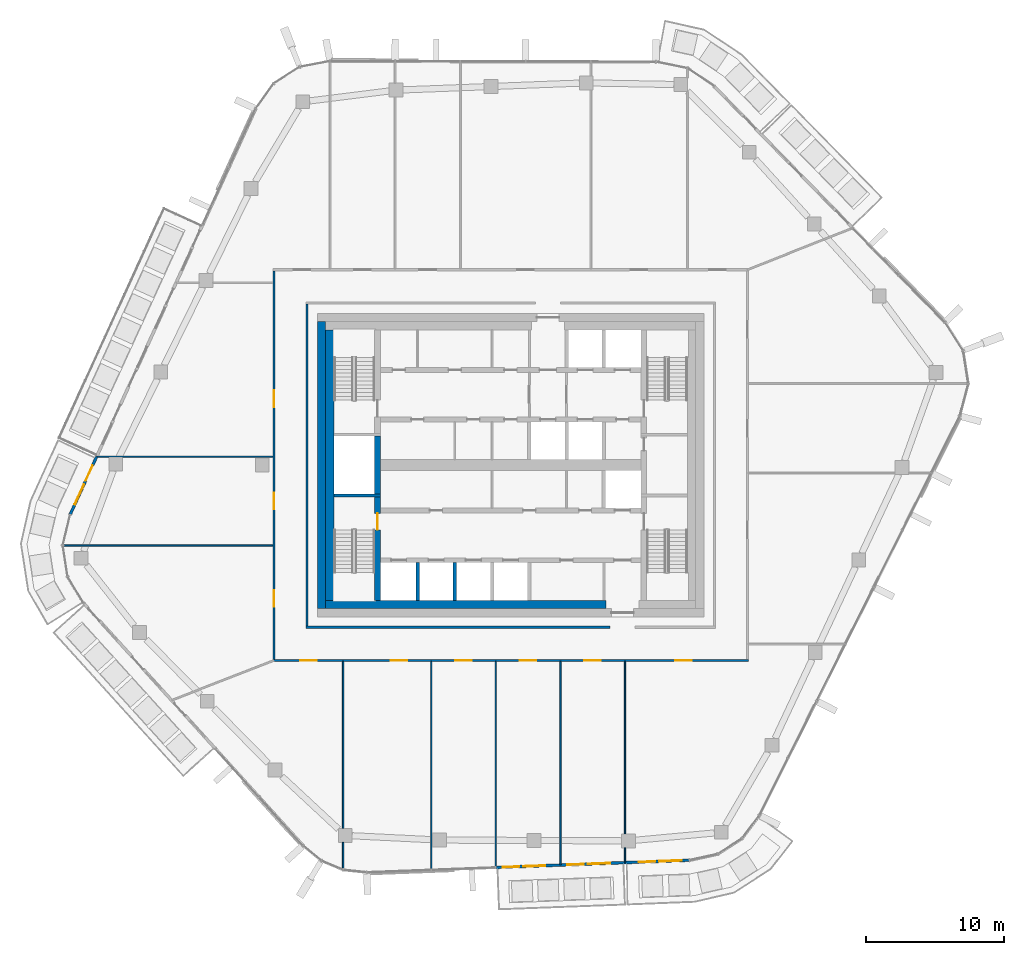
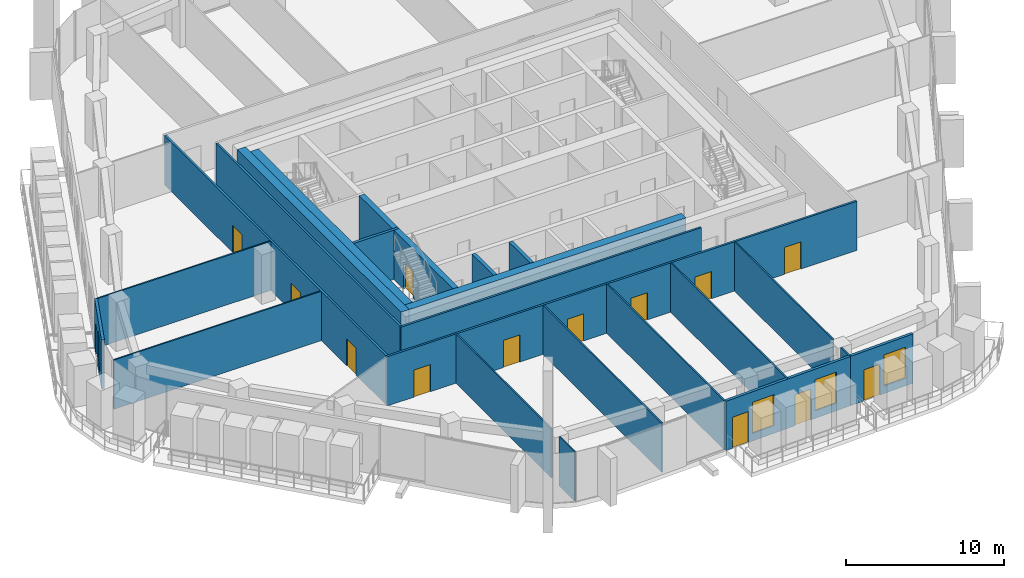
# One storey, part 13 of 24: 24 walls, 14 doors, 4 windows, 18 openings.
"""IFC4 building model written with IfcOpenShell, lengths in metres."""

import ifcopenshell
import ifcopenshell.guid

model = None  # the IFC model being written
_history = None  # IfcOwnerHistory: only IFC2X3 demands one
_inside = {}  # id of a spatial element -> (the spatial element, [elements in it])
_under = {}  # id of a project, library or spatial element -> (it, [spatial elements below it])
_declared = {}  # id of a project -> (the project, [libraries it declares])
_typed = {}  # id of a type object -> (the type object, [elements of that type])
_made_of = {}  # id of a material, layer set ... -> (it, [elements and type objects made of it])


def new_model(schema):
    """Start an empty IFC model of exactly this schema.

    Asked for "IFC4X3", IfcOpenShell would pick the latest addendum, in which some entities
    have other attributes; the version numbers below select the first issue.
    IFC2X3 requires an IfcOwnerHistory on every rooted entity: one is made here for all.
    """
    global model, _history
    if schema == "IFC4X3":
        model = ifcopenshell.file(schema_version=(4, 3, 0, 0))
    else:
        model = ifcopenshell.file(schema=schema)
    _inside.clear()
    _under.clear()
    _declared.clear()
    _typed.clear()
    _made_of.clear()
    _history = None
    if model.schema == "IFC2X3":
        org = make("IfcOrganization", Name="unknown")
        user = make(
            "IfcPersonAndOrganization",
            ThePerson=make("IfcPerson", FamilyName="unknown"),
            TheOrganization=org,
        )
        app = make(
            "IfcApplication",
            ApplicationDeveloper=org,
            Version="unknown",
            ApplicationFullName="unknown",
            ApplicationIdentifier="unknown",
        )
        _history = make(
            "IfcOwnerHistory",
            OwningUser=user,
            OwningApplication=app,
            ChangeAction="ADDED",
            CreationDate=0,
        )
    return model


def make(cls, **values):
    """One entity of the class cls with the attributes given. An attribute that is None is left unset."""
    return model.create_entity(
        cls, **{name: value for name, value in values.items() if value is not None}
    )


def rooted(cls, **values):
    """An entity with a GlobalId (a new one), such as an element, a storey or a relation."""
    return make(cls, GlobalId=ifcopenshell.guid.new(), OwnerHistory=_history, **values)


def si_unit(unit_type, name, prefix=None):
    """IfcSIUnit, for example si_unit("LENGTHUNIT", "METRE", prefix="MILLI")."""
    return make("IfcSIUnit", UnitType=unit_type, Prefix=prefix, Name=name)


def assignment(units):
    """IfcUnitAssignment: the units of a project."""
    return None if units is None else make("IfcUnitAssignment", Units=units)


def point(xyz):
    """IfcCartesianPoint."""
    return None if xyz is None else make("IfcCartesianPoint", Coordinates=xyz)


def direction(xyz):
    """IfcDirection."""
    return None if xyz is None else make("IfcDirection", DirectionRatios=xyz)


def frame(location, z_axis=None, x_axis=None):
    """IfcAxis2Placement3D, a coordinate frame: its origin and axes. An axis left out is left unset."""
    return make(
        "IfcAxis2Placement3D",
        Location=point(location),
        Axis=direction(z_axis),
        RefDirection=direction(x_axis),
    )


def frame_2d(location, x_axis=None):
    """IfcAxis2Placement2D, a coordinate frame in the plane: its origin and x axis."""
    return make(
        "IfcAxis2Placement2D", Location=point(location), RefDirection=direction(x_axis)
    )


def origin():
    """The frame at (0, 0, 0) with its axes left unset."""
    return frame((0.0, 0.0, 0.0))


def place(relative_to, where):
    """IfcLocalPlacement: puts the frame where relative to a parent placement (None: the world)."""
    return make(
        "IfcLocalPlacement", PlacementRelTo=relative_to, RelativePlacement=where
    )


def context(
    kind, dimensions, precision=None, world=None, true_north=None, identifier=None
):
    """IfcGeometricRepresentationContext, for example the 3D "Model" context."""
    return make(
        "IfcGeometricRepresentationContext",
        ContextIdentifier=identifier,
        ContextType=kind,
        CoordinateSpaceDimension=dimensions,
        Precision=precision,
        WorldCoordinateSystem=world,
        TrueNorth=true_north,
    )


def subcontext(parent, identifier, kind, view, scale=None):
    """IfcGeometricRepresentationSubContext, for example "Body" below "Model"."""
    return make(
        "IfcGeometricRepresentationSubContext",
        ContextIdentifier=identifier,
        ContextType=kind,
        ParentContext=parent,
        TargetScale=scale,
        TargetView=view,
    )


def project(units=None, contexts=None):
    """IfcProject with its units and contexts."""
    return rooted(
        "IfcProject",
        Name="project",
        RepresentationContexts=contexts,
        UnitsInContext=assignment(units),
    )


def spatial(cls, under=None, at=None, **own):
    """A site, building, storey or space (cls), placed at a placement, below another one or the project."""
    s = rooted(cls, ObjectPlacement=at, **own)
    if under is not None:
        _under.setdefault(under.id(), (under, []))[1].append(s)
    return s


def profile(cls, at=None, kind="AREA", **sizes):
    """A parametric profile (cls). Its sizes go by their IFC names, for example OverallWidth=200.0."""
    return make(cls, ProfileType=kind, Position=at, **sizes)


def rectangle(**sizes):
    """IfcRectangleProfileDef."""
    return profile("IfcRectangleProfileDef", **sizes)


def extrude(swept, where, along, depth):
    """IfcExtrudedAreaSolid: the profile swept, set in the frame where, extruded along a direction by depth."""
    return make(
        "IfcExtrudedAreaSolid",
        SweptArea=swept,
        Position=where,
        ExtrudedDirection=direction(along),
        Depth=depth,
    )


def shape(context_of_items, identifier, shape_type, items):
    """IfcShapeRepresentation: the items that make up one representation, for example the "Body"."""
    return make(
        "IfcShapeRepresentation",
        ContextOfItems=context_of_items,
        RepresentationIdentifier=identifier,
        RepresentationType=shape_type,
        Items=items,
    )


def material(Name=None, Category=None):
    """IfcMaterial."""
    return make("IfcMaterial", Name=Name, Category=Category)


def layer(
    of_material, thickness, ventilated=None, Name=None, Category=None, Priority=None
):
    """IfcMaterialLayer: one layer of a wall or slab, of a material (None: an air gap)."""
    return make(
        "IfcMaterialLayer",
        Material=of_material,
        LayerThickness=thickness,
        IsVentilated=ventilated,
        Name=Name,
        Category=Category,
        Priority=Priority,
    )


def layer_set(layers, Name=None):
    """IfcMaterialLayerSet."""
    return make("IfcMaterialLayerSet", MaterialLayers=layers, LayerSetName=Name)


def made_of(thing, what):
    """Note that an element or type object is made of a material, layer set ...; save() writes the relation."""
    if what is not None:
        _made_of.setdefault(what.id(), (what, []))[1].append(thing)
    return thing


def type_object(cls, material=None, **own):
    """A type object (cls), such as IfcWallType, which elements share."""
    return made_of(rooted(cls, **own), material)


def element(
    cls,
    number,
    at=None,
    inside=None,
    cuts=None,
    type_object=None,
    material=None,
    context=None,
    identifier="Body",
    shape_type=None,
    held_by="IfcProductDefinitionShape",
    body=None,
    shapes=None,
    **own,
):
    """One element of the class cls, such as IfcWall. Its Tag is "e" and its number.

    at: its placement. inside: the storey or other place that contains it. cuts: it is an
    opening in that element (IfcRelVoidsElement). A single representation is given by context,
    identifier, shape_type and body (its items); several are given by shapes. held_by: the class
    of the entity that holds the representations. save() writes the other relations.
    """
    e = rooted(cls, Tag="e%d" % number, ObjectPlacement=at, **own)
    if body is not None:
        shapes = [shape(context, identifier, shape_type, body)]
    if shapes is not None:
        e.Representation = make(held_by, Representations=shapes)
    if inside is not None:
        _inside.setdefault(inside.id(), (inside, []))[1].append(e)
    if cuts is not None:
        rooted(
            "IfcRelVoidsElement", RelatingBuildingElement=cuts, RelatedOpeningElement=e
        )
    if type_object is not None:
        _typed.setdefault(type_object.id(), (type_object, []))[1].append(e)
    return made_of(e, material)


def fill(opening, filler):
    """IfcRelFillsElement: the door or window that sits in an opening."""
    return rooted(
        "IfcRelFillsElement",
        RelatingOpeningElement=opening,
        RelatedBuildingElement=filler,
    )


def aggregate(whole, parts):
    """IfcRelAggregates: a whole, such as a stair, and the parts it consists of."""
    return rooted("IfcRelAggregates", RelatingObject=whole, RelatedObjects=parts)


def save(model, path):
    """Write the relations noted so far, then the file.

    IfcRelAggregates (storeys below a building ...), IfcRelContainedInSpatialStructure (elements
    in a storey), IfcRelDefinesByType, IfcRelAssociatesMaterial and IfcRelDeclares: one each for
    every whole, place, type object, material and project.
    """
    for whole, parts in _under.values():
        aggregate(whole, parts)
    for where, things in _inside.values():
        rooted(
            "IfcRelContainedInSpatialStructure",
            RelatedElements=things,
            RelatingStructure=where,
        )
    for kind, things in _typed.values():
        rooted("IfcRelDefinesByType", RelatedObjects=things, RelatingType=kind)
    for what, things in _made_of.values():
        rooted("IfcRelAssociatesMaterial", RelatedObjects=things, RelatingMaterial=what)
    for by, libraries in _declared.values():
        rooted("IfcRelDeclares", RelatingContext=by, RelatedDefinitions=libraries)
    model.write(path)


model = new_model("IFC4")

# Units and contexts
model_context = context("Model", 3, precision=1e-05, world=origin(), true_north=direction((0.0, 1.0)))
body_context = subcontext(model_context, "Body", "Model", "MODEL_VIEW")
ifc_project = project(units=[si_unit("LENGTHUNIT", "METRE"), si_unit("AREAUNIT", "SQUARE_METRE"), si_unit("VOLUMEUNIT", "CUBIC_METRE"), si_unit("PLANEANGLEUNIT", "RADIAN"), si_unit("MASSUNIT", "GRAM", prefix="KILO")], contexts=[model_context])

# Site, building, storey
site_placement = place(None, origin())
site = spatial("IfcSite", under=ifc_project, at=site_placement, CompositionType="ELEMENT")
building_placement = place(site_placement, origin())
building = spatial("IfcBuilding", under=site, at=building_placement, Name="Dongbaek Canopy Tower", CompositionType="ELEMENT")
storey_placement = place(building_placement, frame((0.0, 0.0, 306.800048828125)))
storey = spatial("IfcBuildingStorey", under=building, at=storey_placement, Name="L65", CompositionType="ELEMENT", Elevation=306.800048828125)

# Walls
ifc_material_1 = material(Name="Concrete C80/95", Category="concrete")
ifc_layer_1 = layer(ifc_material_1, 0.60009765625)
ifc_layer_set_1 = layer_set([ifc_layer_1], Name="Core outer wall 600 Concrete C80/95")
wall_type_1 = type_object("IfcWallType", Name="Core outer wall 600 Concrete C80/95", PredefinedType="SHEAR", material=ifc_layer_set_1)
wall_1_placement = place(storey_placement, frame((-13.699951171875, -10.39990234375, 0.0), z_axis=(0.0, 0.0, 1.0), x_axis=(0.0, 1.0, 0.0)))
element("IfcWall", 1, at=wall_1_placement, inside=storey, type_object=wall_type_1, Name="Core wall", PredefinedType="SHEAR", context=body_context, shape_type="SweptSolid", body=[
    extrude(rectangle(XDim=20.7998046875, YDim=0.60009765625, at=frame_2d((10.39990234375, 0.0))), origin(), (0.0, 0.0, 1.0), 3.820068359375),
])
ifc_material_2 = material(Name="Concrete C60/75", Category="concrete")
ifc_layer_2 = layer(ifc_material_2, 0.60009765625)
ifc_layer_set_2 = layer_set([ifc_layer_2], Name="Core wall lining 600 Concrete C60/75")
wall_type_2 = type_object("IfcWallType", Name="Core wall lining 600 Concrete C60/75", PredefinedType="SHEAR", material=ifc_layer_set_2)
wall_2_placement = place(storey_placement, frame((6.89990234375, -10.10009765625, 0.0), z_axis=(0.0, 0.0, 1.0), x_axis=(-1.0, 0.0, 0.0)))
element("IfcWall", 2, at=wall_2_placement, inside=storey, type_object=wall_type_2, Name="Core wall lining", PredefinedType="SHEAR", context=body_context, shape_type="SweptSolid", body=[
    extrude(rectangle(XDim=20.2998046875, YDim=0.60009765625, at=frame_2d((10.14990234375, 0.0))), origin(), (0.0, 0.0, 1.0), 3.820068359375),
])
wall_3_placement = place(storey_placement, frame((-13.10009765625, -9.800048828125, 0.0), z_axis=(0.0, 0.0, 1.0), x_axis=(0.0, 1.0, 0.0)))
element("IfcWall", 3, at=wall_3_placement, inside=storey, type_object=wall_type_2, Name="Core wall lining", PredefinedType="SHEAR", context=body_context, shape_type="SweptSolid", body=[
    extrude(rectangle(XDim=19.60009765625, YDim=0.60009765625, at=frame_2d((9.800048828125, 0.0))), origin(), (0.0, 0.0, 1.0), 3.820068359375),
])

# Wall, openings, doors
ifc_material_3 = material(Name="Gypsum board partition, steel stud, 2 x 15 mm fire board", Category="steel")
ifc_layer_3 = layer(ifc_material_3, 0.14990234375)
ifc_layer_set_3 = layer_set([ifc_layer_3], Name="Fire-rated partition 150 gypsum board")
wall_type_3 = type_object("IfcWallType", Name="Fire-rated partition 150 gypsum board", PredefinedType="PARTITIONING", material=ifc_layer_set_3)
wall_4_placement = place(storey_placement, frame((17.22509765625, -14.14990234375, 0.0), z_axis=(0.0, 0.0, 1.0), x_axis=(-1.0, 0.0, 0.0)))
wall_4 = element("IfcWall", 4, at=wall_4_placement, inside=storey, type_object=wall_type_3, Name="Corridor partition", PredefinedType="PARTITIONING", context=body_context, shape_type="SweptSolid", body=[
    extrude(rectangle(XDim=34.4501953125, YDim=0.14990234375, at=frame_2d((17.22509765625, 0.0))), origin(), (0.0, 0.0, 1.0), 3.820068359375),
])
opening_1_placement = place(wall_4_placement, frame((31.268798828125, 0.0, 0.0)))
opening_1 = element("IfcOpeningElement", 5, at=opening_1_placement, cuts=wall_4, Name="Opening L65-D003", PredefinedType="OPENING", context=body_context, shape_type="SweptSolid", body=[
    extrude(rectangle(XDim=1.199951171875, YDim=2.10009765625, at=frame_2d((0.60009765625, 1.050048828125))), frame((0.0, 0.0849609375, 0.0), z_axis=(0.0, -1.0, 0.0), x_axis=(1.0, 0.0, 0.0)), (0.0, 0.0, 1.0), 0.169921875),
])
opening_2_placement = place(wall_4_placement, frame((24.71923828125, 0.0, 0.0)))
opening_2 = element("IfcOpeningElement", 6, at=opening_2_placement, cuts=wall_4, Name="Opening L65-D004", PredefinedType="OPENING", context=body_context, shape_type="SweptSolid", body=[
    extrude(rectangle(XDim=1.199951171875, YDim=2.10009765625, at=frame_2d((0.60009765625, 1.050048828125))), frame((0.0, 0.0849609375, 0.0), z_axis=(0.0, -1.0, 0.0), x_axis=(1.0, 0.0, 0.0)), (0.0, 0.0, 1.0), 0.169921875),
])
opening_3_placement = place(wall_4_placement, frame((20.043701171875, 0.0, 0.0)))
opening_3 = element("IfcOpeningElement", 7, at=opening_3_placement, cuts=wall_4, Name="Opening L65-D005", PredefinedType="OPENING", context=body_context, shape_type="SweptSolid", body=[
    extrude(rectangle(XDim=1.199951171875, YDim=2.10009765625, at=frame_2d((0.60009765625, 1.050048828125))), frame((0.0, 0.0849609375, 0.0), z_axis=(0.0, -1.0, 0.0), x_axis=(1.0, 0.0, 0.0)), (0.0, 0.0, 1.0), 0.169921875),
])
opening_4_placement = place(wall_4_placement, frame((15.3642578125, 0.0, 0.0)))
opening_4 = element("IfcOpeningElement", 8, at=opening_4_placement, cuts=wall_4, Name="Opening L65-D006", PredefinedType="OPENING", context=body_context, shape_type="SweptSolid", body=[
    extrude(rectangle(XDim=1.199951171875, YDim=2.10009765625, at=frame_2d((0.60009765625, 1.050048828125))), frame((0.0, 0.0849609375, 0.0), z_axis=(0.0, -1.0, 0.0), x_axis=(1.0, 0.0, 0.0)), (0.0, 0.0, 1.0), 0.169921875),
])
opening_5_placement = place(wall_4_placement, frame((10.68505859375, 0.0, 0.0)))
opening_5 = element("IfcOpeningElement", 9, at=opening_5_placement, cuts=wall_4, Name="Opening L65-D007", PredefinedType="OPENING", context=body_context, shape_type="SweptSolid", body=[
    extrude(rectangle(XDim=1.199951171875, YDim=2.10009765625, at=frame_2d((0.60009765625, 1.050048828125))), frame((0.0, 0.0849609375, 0.0), z_axis=(0.0, -1.0, 0.0), x_axis=(1.0, 0.0, 0.0)), (0.0, 0.0, 1.0), 0.169921875),
])
opening_6_placement = place(wall_4_placement, frame((4.107421875, 0.0, 0.0)))
opening_6 = element("IfcOpeningElement", 10, at=opening_6_placement, cuts=wall_4, Name="Opening L65-D008", PredefinedType="OPENING", context=body_context, shape_type="SweptSolid", body=[
    extrude(rectangle(XDim=1.199951171875, YDim=2.10009765625, at=frame_2d((0.60009765625, 1.050048828125))), frame((0.0, 0.0849609375, 0.0), z_axis=(0.0, -1.0, 0.0), x_axis=(1.0, 0.0, 0.0)), (0.0, 0.0, 1.0), 0.169921875),
])
ifc_material_4 = material(Name="Timber veneered door leaf", Category="wood")
door_type_1 = type_object("IfcDoorType", Name="Room door 1200 x 2100", OperationType="SINGLE_SWING_LEFT", PredefinedType="DOOR", material=ifc_material_4)
door_1_placement = place(opening_1_placement, origin())
door_1 = element("IfcDoor", 11, at=door_1_placement, inside=storey, type_object=door_type_1, Name="Door L65-D003", OperationType="SINGLE_SWING_RIGHT", OverallHeight=2.10009765625, OverallWidth=1.199951171875, PredefinedType="DOOR", context=body_context, shape_type="SweptSolid", body=[
    extrude(rectangle(XDim=1.199951171875, YDim=2.10009765625, at=frame_2d((0.60009765625, 1.050048828125))), frame((0.0, 0.02490234375, 0.0), z_axis=(0.0, -1.0, 0.0), x_axis=(1.0, 0.0, 0.0)), (0.0, 0.0, 1.0), 0.050048828125),
])
fill(opening_1, door_1)
door_2_placement = place(opening_2_placement, origin())
door_2 = element("IfcDoor", 12, at=door_2_placement, inside=storey, type_object=door_type_1, Name="Door L65-D004", OperationType="SINGLE_SWING_LEFT", OverallHeight=2.10009765625, OverallWidth=1.199951171875, PredefinedType="DOOR", context=body_context, shape_type="SweptSolid", body=[
    extrude(rectangle(XDim=1.199951171875, YDim=2.10009765625, at=frame_2d((0.60009765625, 1.050048828125))), frame((0.0, 0.02490234375, 0.0), z_axis=(0.0, -1.0, 0.0), x_axis=(1.0, 0.0, 0.0)), (0.0, 0.0, 1.0), 0.050048828125),
])
fill(opening_2, door_2)
door_3_placement = place(opening_3_placement, origin())
door_3 = element("IfcDoor", 13, at=door_3_placement, inside=storey, type_object=door_type_1, Name="Door L65-D005", OperationType="SINGLE_SWING_RIGHT", OverallHeight=2.10009765625, OverallWidth=1.199951171875, PredefinedType="DOOR", context=body_context, shape_type="SweptSolid", body=[
    extrude(rectangle(XDim=1.199951171875, YDim=2.10009765625, at=frame_2d((0.60009765625, 1.050048828125))), frame((0.0, 0.02490234375, 0.0), z_axis=(0.0, -1.0, 0.0), x_axis=(1.0, 0.0, 0.0)), (0.0, 0.0, 1.0), 0.050048828125),
])
fill(opening_3, door_3)
door_4_placement = place(opening_4_placement, origin())
door_4 = element("IfcDoor", 14, at=door_4_placement, inside=storey, type_object=door_type_1, Name="Door L65-D006", OperationType="SINGLE_SWING_LEFT", OverallHeight=2.10009765625, OverallWidth=1.199951171875, PredefinedType="DOOR", context=body_context, shape_type="SweptSolid", body=[
    extrude(rectangle(XDim=1.199951171875, YDim=2.10009765625, at=frame_2d((0.60009765625, 1.050048828125))), frame((0.0, 0.02490234375, 0.0), z_axis=(0.0, -1.0, 0.0), x_axis=(1.0, 0.0, 0.0)), (0.0, 0.0, 1.0), 0.050048828125),
])
fill(opening_4, door_4)
door_5_placement = place(opening_5_placement, origin())
door_5 = element("IfcDoor", 15, at=door_5_placement, inside=storey, type_object=door_type_1, Name="Door L65-D007", OperationType="SINGLE_SWING_RIGHT", OverallHeight=2.10009765625, OverallWidth=1.199951171875, PredefinedType="DOOR", context=body_context, shape_type="SweptSolid", body=[
    extrude(rectangle(XDim=1.199951171875, YDim=2.10009765625, at=frame_2d((0.60009765625, 1.050048828125))), frame((0.0, 0.02490234375, 0.0), z_axis=(0.0, -1.0, 0.0), x_axis=(1.0, 0.0, 0.0)), (0.0, 0.0, 1.0), 0.050048828125),
])
fill(opening_5, door_5)
door_6_placement = place(opening_6_placement, origin())
door_6 = element("IfcDoor", 16, at=door_6_placement, inside=storey, type_object=door_type_1, Name="Door L65-D008", OperationType="SINGLE_SWING_LEFT", OverallHeight=2.10009765625, OverallWidth=1.199951171875, PredefinedType="DOOR", context=body_context, shape_type="SweptSolid", body=[
    extrude(rectangle(XDim=1.199951171875, YDim=2.10009765625, at=frame_2d((0.60009765625, 1.050048828125))), frame((0.0, 0.02490234375, 0.0), z_axis=(0.0, -1.0, 0.0), x_axis=(1.0, 0.0, 0.0)), (0.0, 0.0, 1.0), 0.050048828125),
])
fill(opening_6, door_6)

# Walls
wall_5_placement = place(storey_placement, frame((-14.824951171875, -11.75, 0.0), z_axis=(0.0, 0.0, 1.0), x_axis=(1.0, 0.0, 0.0)))
element("IfcWall", 17, at=wall_5_placement, inside=storey, type_object=wall_type_3, Name="Corridor partition", PredefinedType="PARTITIONING", context=body_context, shape_type="SweptSolid", body=[
    extrude(rectangle(XDim=22.02490234375, YDim=0.14990234375, at=frame_2d((11.012451171875, 0.0))), origin(), (0.0, 0.0, 1.0), 3.820068359375),
])
wall_6_placement = place(storey_placement, frame((-14.75, -11.675048828125, 0.0), z_axis=(0.0, 0.0, 1.0), x_axis=(0.0, 1.0, 0.0)))
element("IfcWall", 18, at=wall_6_placement, inside=storey, type_object=wall_type_3, Name="Corridor partition", PredefinedType="PARTITIONING", context=body_context, shape_type="SweptSolid", body=[
    extrude(rectangle(XDim=23.35009765625, YDim=0.14990234375, at=frame_2d((11.675048828125, 0.0))), origin(), (0.0, 0.0, 1.0), 3.820068359375),
])

# Wall, openings, doors
wall_7_placement = place(storey_placement, frame((-17.14990234375, -14.074951171875, 0.0), z_axis=(0.0, 0.0, 1.0), x_axis=(0.0, 1.0, 0.0)))
wall_7 = element("IfcWall", 19, at=wall_7_placement, inside=storey, type_object=wall_type_3, Name="Corridor partition", PredefinedType="PARTITIONING", context=body_context, shape_type="SweptSolid", body=[
    extrude(rectangle(XDim=28.14990234375, YDim=0.14990234375, at=frame_2d((14.074951171875, 0.0))), origin(), (0.0, 0.0, 1.0), 3.820068359375),
])
opening_7_placement = place(wall_7_placement, frame((10.8671875, 0.0, 0.0)))
opening_7 = element("IfcOpeningElement", 20, at=opening_7_placement, cuts=wall_7, Name="Opening L65-D001", PredefinedType="OPENING", context=body_context, shape_type="SweptSolid", body=[
    extrude(rectangle(XDim=1.199951171875, YDim=2.10009765625, at=frame_2d((0.60009765625, 1.050048828125))), frame((0.0, 0.0849609375, 0.0), z_axis=(0.0, -1.0, 0.0), x_axis=(1.0, 0.0, 0.0)), (0.0, 0.0, 1.0), 0.169921875),
])
opening_8_placement = place(wall_7_placement, frame((3.80078125, 0.0, 0.0)))
opening_8 = element("IfcOpeningElement", 21, at=opening_8_placement, cuts=wall_7, Name="Opening L65-D002", PredefinedType="OPENING", context=body_context, shape_type="SweptSolid", body=[
    extrude(rectangle(XDim=1.199951171875, YDim=2.10009765625, at=frame_2d((0.60009765625, 1.050048828125))), frame((0.0, 0.0849609375, 0.0), z_axis=(0.0, -1.0, 0.0), x_axis=(1.0, 0.0, 0.0)), (0.0, 0.0, 1.0), 0.169921875),
])
opening_9_placement = place(wall_7_placement, frame((18.279052734375, 0.0, 0.0)))
opening_9 = element("IfcOpeningElement", 22, at=opening_9_placement, cuts=wall_7, Name="Opening L65-D018", PredefinedType="OPENING", context=body_context, shape_type="SweptSolid", body=[
    extrude(rectangle(XDim=1.199951171875, YDim=2.10009765625, at=frame_2d((0.60009765625, 1.050048828125))), frame((0.0, 0.0849609375, 0.0), z_axis=(0.0, -1.0, 0.0), x_axis=(1.0, 0.0, 0.0)), (0.0, 0.0, 1.0), 0.169921875),
])
door_7_placement = place(opening_7_placement, origin())
door_7 = element("IfcDoor", 23, at=door_7_placement, inside=storey, type_object=door_type_1, Name="Door L65-D001", OperationType="SINGLE_SWING_RIGHT", OverallHeight=2.10009765625, OverallWidth=1.199951171875, PredefinedType="DOOR", context=body_context, shape_type="SweptSolid", body=[
    extrude(rectangle(XDim=1.199951171875, YDim=2.10009765625, at=frame_2d((0.60009765625, 1.050048828125))), frame((0.0, 0.02490234375, 0.0), z_axis=(0.0, -1.0, 0.0), x_axis=(1.0, 0.0, 0.0)), (0.0, 0.0, 1.0), 0.050048828125),
])
fill(opening_7, door_7)
door_8_placement = place(opening_8_placement, origin())
door_8 = element("IfcDoor", 24, at=door_8_placement, inside=storey, type_object=door_type_1, Name="Door L65-D002", OperationType="SINGLE_SWING_LEFT", OverallHeight=2.10009765625, OverallWidth=1.199951171875, PredefinedType="DOOR", context=body_context, shape_type="SweptSolid", body=[
    extrude(rectangle(XDim=1.199951171875, YDim=2.10009765625, at=frame_2d((0.60009765625, 1.050048828125))), frame((0.0, 0.02490234375, 0.0), z_axis=(0.0, -1.0, 0.0), x_axis=(1.0, 0.0, 0.0)), (0.0, 0.0, 1.0), 0.050048828125),
])
fill(opening_8, door_8)
door_9_placement = place(opening_9_placement, origin())
door_9 = element("IfcDoor", 25, at=door_9_placement, inside=storey, type_object=door_type_1, Name="Door L65-D018", OperationType="SINGLE_SWING_LEFT", OverallHeight=2.10009765625, OverallWidth=1.199951171875, PredefinedType="DOOR", context=body_context, shape_type="SweptSolid", body=[
    extrude(rectangle(XDim=1.199951171875, YDim=2.10009765625, at=frame_2d((0.60009765625, 1.050048828125))), frame((0.0, 0.02490234375, 0.0), z_axis=(0.0, -1.0, 0.0), x_axis=(1.0, 0.0, 0.0)), (0.0, 0.0, 1.0), 0.050048828125),
])
fill(opening_9, door_9)

# Walls
ifc_material_5 = material(Name="Concrete C40/50", Category="concrete")
ifc_layer_4 = layer(ifc_material_5, 0.25)
ifc_layer_set_4 = layer_set([ifc_layer_4], Name="Lift shaft wall 250 Concrete C40/50")
wall_type_4 = type_object("IfcWallType", Name="Lift shaft wall 250 Concrete C40/50", PredefinedType="SOLIDWALL", material=ifc_layer_set_4)
for number, where, z_axis, x_axis, name in (
    (26, (-4.050048828125, -9.800048828125, 0.0), (0.0, 0.0, 1.0), (0.0, 1.0, 0.0), "Lift shaft wall"),
    (27, (-6.75, -9.800048828125, 0.0), (0.0, 0.0, 1.0), (0.0, 1.0, 0.0), "Lift shaft wall"),
):
    element("IfcWall", number, at=place(storey_placement, frame(where, z_axis=z_axis, x_axis=x_axis)), inside=storey, type_object=wall_type_4, Name=name, PredefinedType="SOLIDWALL", context=body_context, shape_type="SweptSolid", body=[
        extrude(rectangle(XDim=2.72509765625, YDim=0.25, at=frame_2d((1.362548828125, 0.0))), origin(), (0.0, 0.0, 1.0), 3.820068359375),
    ])
ifc_material_6 = material(Name="Gypsum board partition, steel stud, 2 x 12.5 mm board", Category="steel")
ifc_layer_5 = layer(ifc_material_6, 0.10009765625)
ifc_layer_set_5 = layer_set([ifc_layer_5], Name="Partition 100 gypsum board")
wall_type_5 = type_object("IfcWallType", Name="Partition 100 gypsum board", PredefinedType="PARTITIONING", material=ifc_layer_set_5)
wall_8_placement = place(storey_placement, frame((-32.431396484375, -5.81591796875, 0.0), z_axis=(0.0, 0.0, 1.0), x_axis=(1.0, 0.0, 0.0)))
element("IfcWall", 28, at=wall_8_placement, inside=storey, type_object=wall_type_5, Name="Partition", PredefinedType="PARTITIONING", context=body_context, shape_type="SweptSolid", body=[
    extrude(rectangle(XDim=15.206298828125, YDim=0.10009765625, at=frame_2d((7.60302734375, 0.0))), origin(), (0.0, 0.0, 1.0), 3.820068359375),
])
wall_9_placement = place(storey_placement, frame((-29.9814453125, 0.60107421875, 0.0), z_axis=(0.0, 0.0, 1.0), x_axis=(1.0, 0.0, 0.0)))
element("IfcWall", 29, at=wall_9_placement, inside=storey, type_object=wall_type_5, Name="Partition", PredefinedType="PARTITIONING", context=body_context, shape_type="SweptSolid", body=[
    extrude(rectangle(XDim=12.75634765625, YDim=0.10009765625, at=frame_2d((6.378173828125, 0.0))), origin(), (0.0, 0.0, 1.0), 3.820068359375),
])
wall_10_placement = place(storey_placement, frame((8.280029296875, -28.7822265625, 0.0), z_axis=(0.0, 0.0, 1.0), x_axis=(0.0, 1.0, 0.0)))
element("IfcWall", 30, at=wall_10_placement, inside=storey, type_object=wall_type_5, Name="Partition", PredefinedType="PARTITIONING", context=body_context, shape_type="SweptSolid", body=[
    extrude(rectangle(XDim=1.05517578125, YDim=0.10009765625, at=frame_2d((0.527587890625, 0.0))), origin(), (0.0, 0.0, 1.0), 3.820068359375),
])
wall_11_placement = place(storey_placement, frame((8.280029296875, -26.72705078125, 0.0), z_axis=(0.0, 0.0, 1.0), x_axis=(0.0, 1.0, 0.0)))
element("IfcWall", 31, at=wall_11_placement, inside=storey, type_object=wall_type_5, Name="Partition", PredefinedType="PARTITIONING", context=body_context, shape_type="SweptSolid", body=[
    extrude(rectangle(XDim=12.501953125, YDim=0.10009765625, at=frame_2d((6.2509765625, 0.0))), origin(), (0.0, 0.0, 1.0), 3.820068359375),
])
wall_12_placement = place(storey_placement, frame((3.60009765625, -28.958740234375, 0.0), z_axis=(0.0, 0.0, 1.0), x_axis=(0.0, 1.0, 0.0)))
element("IfcWall", 32, at=wall_12_placement, inside=storey, type_object=wall_type_5, Name="Partition", PredefinedType="PARTITIONING", context=body_context, shape_type="SweptSolid", body=[
    extrude(rectangle(XDim=14.733642578125, YDim=0.10009765625, at=frame_2d((7.36669921875, 0.0))), origin(), (0.0, 0.0, 1.0), 3.820068359375),
])
wall_13_placement = place(storey_placement, frame((-1.0791015625, -29.135498046875, 0.0), z_axis=(0.0, 0.0, 1.0), x_axis=(0.0, 1.0, 0.0)))
element("IfcWall", 33, at=wall_13_placement, inside=storey, type_object=wall_type_5, Name="Partition", PredefinedType="PARTITIONING", context=body_context, shape_type="SweptSolid", body=[
    extrude(rectangle(XDim=14.910400390625, YDim=0.10009765625, at=frame_2d((7.455078125, 0.0))), origin(), (0.0, 0.0, 1.0), 3.820068359375),
])
wall_14_placement = place(storey_placement, frame((-5.758056640625, -29.31201171875, 0.0), z_axis=(0.0, 0.0, 1.0), x_axis=(0.0, 1.0, 0.0)))
element("IfcWall", 34, at=wall_14_placement, inside=storey, type_object=wall_type_5, Name="Partition", PredefinedType="PARTITIONING", context=body_context, shape_type="SweptSolid", body=[
    extrude(rectangle(XDim=15.0869140625, YDim=0.10009765625, at=frame_2d((7.54345703125, 0.0))), origin(), (0.0, 0.0, 1.0), 3.820068359375),
])
wall_15_placement = place(storey_placement, frame((-12.136962890625, -29.302001953125, 0.0), z_axis=(0.0, 0.0, 1.0), x_axis=(0.0, 1.0, 0.0)))
element("IfcWall", 35, at=wall_15_placement, inside=storey, type_object=wall_type_5, Name="Partition", PredefinedType="PARTITIONING", context=body_context, shape_type="SweptSolid", body=[
    extrude(rectangle(XDim=1.970947265625, YDim=0.10009765625, at=frame_2d((0.9853515625, 0.0))), origin(), (0.0, 0.0, 1.0), 3.820068359375),
])
wall_16_placement = place(storey_placement, frame((-12.136962890625, -26.3310546875, 0.0), z_axis=(0.0, 0.0, 1.0), x_axis=(0.0, 1.0, 0.0)))
element("IfcWall", 36, at=wall_16_placement, inside=storey, type_object=wall_type_5, Name="Partition", PredefinedType="PARTITIONING", context=body_context, shape_type="SweptSolid", body=[
    extrude(rectangle(XDim=12.10595703125, YDim=0.10009765625, at=frame_2d((6.052978515625, 0.0))), origin(), (0.0, 0.0, 1.0), 3.820068359375),
])
ifc_material_7 = material(Name="Concrete C60/75", Category="concrete")
ifc_layer_6 = layer(ifc_material_7, 0.199951171875)
ifc_layer_set_6 = layer_set([ifc_layer_6], Name="Riser wall 200 Concrete C60/75")
wall_type_6 = type_object("IfcWallType", Name="Riser wall 200 Concrete C60/75", PredefinedType="SHEAR", material=ifc_layer_set_6)
wall_17_placement = place(storey_placement, frame((-9.449951171875, -2.199951171875, 0.0), z_axis=(0.0, 0.0, 1.0), x_axis=(-1.0, 0.0, 0.0)))
element("IfcWall", 37, at=wall_17_placement, inside=storey, type_object=wall_type_6, Name="Riser wall", PredefinedType="SHEAR", context=body_context, shape_type="SweptSolid", body=[
    extrude(rectangle(XDim=3.35009765625, YDim=0.199951171875, at=frame_2d((1.675048828125, 0.0))), origin(), (0.0, 0.0, 1.0), 3.820068359375),
])

# Wall, opening, door
ifc_material_8 = material(Name="Concrete C60/75", Category="concrete")
ifc_layer_7 = layer(ifc_material_8, 0.39990234375)
ifc_layer_set_7 = layer_set([ifc_layer_7], Name="Stair wall 400 Concrete C60/75")
wall_type_7 = type_object("IfcWallType", Name="Stair wall 400 Concrete C60/75", PredefinedType="SHEAR", material=ifc_layer_set_7)
wall_18_placement = place(storey_placement, frame((-9.64990234375, -9.800048828125, 0.0), z_axis=(0.0, 0.0, 1.0), x_axis=(0.0, 1.0, 0.0)))
wall_18 = element("IfcWall", 38, at=wall_18_placement, inside=storey, type_object=wall_type_7, Name="Stair wall", PredefinedType="SHEAR", context=body_context, shape_type="SweptSolid", body=[
    extrude(rectangle(XDim=7.5, YDim=0.39990234375, at=frame_2d((3.75, 0.0))), origin(), (0.0, 0.0, 1.0), 3.820068359375),
])
opening_10_placement = place(wall_18_placement, frame((5.10009765625, 0.0, 0.0)))
opening_10 = element("IfcOpeningElement", 39, at=opening_10_placement, cuts=wall_18, Name="Opening L65-D047", PredefinedType="OPENING", context=body_context, shape_type="SweptSolid", body=[
    extrude(rectangle(XDim=1.199951171875, YDim=2.10009765625, at=frame_2d((0.60009765625, 1.050048828125))), frame((0.0, 0.2099609375, 0.0), z_axis=(0.0, -1.0, 0.0), x_axis=(1.0, 0.0, 0.0)), (0.0, 0.0, 1.0), 0.419921875),
])
ifc_material_9 = material(Name="Steel", Category="steel")
door_type_2 = type_object("IfcDoorType", Name="Stair door 1200 x 2100", OperationType="SINGLE_SWING_LEFT", PredefinedType="DOOR", material=ifc_material_9)
door_10_placement = place(opening_10_placement, origin())
door_10 = element("IfcDoor", 40, at=door_10_placement, inside=storey, type_object=door_type_2, Name="Stair D door", OperationType="SINGLE_SWING_LEFT", OverallHeight=2.10009765625, OverallWidth=1.199951171875, PredefinedType="DOOR", context=body_context, shape_type="SweptSolid", body=[
    extrude(rectangle(XDim=1.199951171875, YDim=2.10009765625, at=frame_2d((0.60009765625, 1.050048828125))), frame((0.0, 0.02490234375, 0.0), z_axis=(0.0, -1.0, 0.0), x_axis=(1.0, 0.0, 0.0)), (0.0, 0.0, 1.0), 0.050048828125),
])
fill(opening_10, door_10)

# Wall
wall_19_placement = place(storey_placement, frame((-9.64990234375, -2.10009765625, 0.0), z_axis=(0.0, 0.0, 1.0), x_axis=(0.0, 1.0, 0.0)))
element("IfcWall", 41, at=wall_19_placement, inside=storey, type_object=wall_type_7, Name="Stair wall", PredefinedType="SHEAR", context=body_context, shape_type="SweptSolid", body=[
    extrude(rectangle(XDim=4.2001953125, YDim=0.39990234375, at=frame_2d((2.10009765625, 0.0))), origin(), (0.0, 0.0, 1.0), 3.820068359375),
])

# Wall, openings, door, window
ifc_material_10 = material(Name="Aluminium window wall", Category="aluminium")
ifc_layer_8 = layer(ifc_material_10, 0.199951171875)
ifc_layer_set_8 = layer_set([ifc_layer_8], Name="Window wall 200")
wall_type_8 = type_object("IfcWallType", Name="Window wall 200", PredefinedType="SOLIDWALL", material=ifc_layer_set_8)
wall_20_placement = place(storey_placement, frame((-30.00341796875, 0.6005859375, 0.0), z_axis=(0.0, 0.0, 1.0), x_axis=(-0.415728482872, -0.909488773174, 0.0)))
wall_20 = element("IfcWall", 42, at=wall_20_placement, inside=storey, type_object=wall_type_8, Name="Window wall L65 6", PredefinedType="SOLIDWALL", context=body_context, shape_type="SweptSolid", body=[
    extrude(rectangle(XDim=4.61181640625, YDim=0.199951171875, at=frame_2d((2.305908203125, 0.0))), origin(), (0.0, 0.0, 1.0), 3.820068359375),
])
opening_11_placement = place(wall_20_placement, frame((2.199951171875, 0.0, 0.60009765625)))
opening_11 = element("IfcOpeningElement", 43, at=opening_11_placement, cuts=wall_20, Name="Opening W1", PredefinedType="OPENING", context=body_context, shape_type="SweptSolid", body=[
    extrude(rectangle(XDim=1.60009765625, YDim=2.39990234375, at=frame_2d((0.800048828125, 1.199951171875))), frame((0.0, 0.10986328125, 0.0), z_axis=(0.0, -1.0, 0.0), x_axis=(1.0, 0.0, 0.0)), (0.0, 0.0, 1.0), 0.219970703125),
])
opening_12_placement = place(wall_20_placement, frame((0.699951171875, 0.0, 0.0)))
opening_12 = element("IfcOpeningElement", 44, at=opening_12_placement, cuts=wall_20, Name="Opening L65-B08", PredefinedType="OPENING", context=body_context, shape_type="SweptSolid", body=[
    extrude(rectangle(XDim=1.199951171875, YDim=2.39990234375, at=frame_2d((0.60009765625, 1.199951171875))), frame((0.0, 0.10986328125, 0.0), z_axis=(0.0, -1.0, 0.0), x_axis=(1.0, 0.0, 0.0)), (0.0, 0.0, 1.0), 0.219970703125),
])
ifc_material_11 = material(Name="Clear glazing in aluminium frame", Category="aluminium")
door_type_3 = type_object("IfcDoorType", Name="Balcony door BD1 1200 x 2400", OperationType="SLIDING_TO_LEFT", PredefinedType="DOOR", material=ifc_material_11)
door_11_placement = place(opening_12_placement, origin())
door_11 = element("IfcDoor", 45, at=door_11_placement, inside=storey, type_object=door_type_3, Name="Balcony door L65-B08", OperationType="SLIDING_TO_LEFT", OverallHeight=2.39990234375, OverallWidth=1.199951171875, PredefinedType="DOOR", context=body_context, shape_type="SweptSolid", body=[
    extrude(rectangle(XDim=1.199951171875, YDim=2.39990234375, at=frame_2d((0.60009765625, 1.199951171875))), frame((0.0, 0.02490234375, 0.0), z_axis=(0.0, -1.0, 0.0), x_axis=(1.0, 0.0, 0.0)), (0.0, 0.0, 1.0), 0.050048828125),
])
fill(opening_12, door_11)
ifc_material_12 = material(Name="Clear glazing in aluminium frame", Category="aluminium")
window_type = type_object("IfcWindowType", Name="Window W1 1600 x 2400", PartitioningType="SINGLE_PANEL", PredefinedType="WINDOW", material=ifc_material_12)
window_1_placement = place(opening_11_placement, origin())
window_1 = element("IfcWindow", 46, at=window_1_placement, inside=storey, type_object=window_type, Name="Window L65 6.1", OverallHeight=2.39990234375, OverallWidth=1.60009765625, PartitioningType="SINGLE_PANEL", PredefinedType="WINDOW", context=body_context, shape_type="SweptSolid", body=[
    extrude(rectangle(XDim=1.60009765625, YDim=2.39990234375, at=frame_2d((0.800048828125, 1.199951171875))), frame((0.0, 0.030029296875, 0.0), z_axis=(0.0, -1.0, 0.0), x_axis=(1.0, 0.0, 0.0)), (0.0, 0.0, 1.0), 0.06005859375),
])
fill(opening_11, window_1)

# Wall, openings, doors, windows
wall_21_placement = place(storey_placement, frame((-1.078857421875, -29.155517578125, 0.0), z_axis=(0.0, 0.0, 1.0), x_axis=(0.999288261827, 0.037722271597, 0.0)))
wall_21 = element("IfcWall", 47, at=wall_21_placement, inside=storey, type_object=wall_type_8, Name="Window wall L65 4", PredefinedType="SOLIDWALL", context=body_context, shape_type="SweptSolid", body=[
    extrude(rectangle(XDim=9.364990234375, YDim=0.199951171875, at=frame_2d((4.6826171875, 0.0))), origin(), (0.0, 0.0, 1.0), 3.820068359375),
])
opening_13_placement = place(wall_21_placement, frame((2.0, 0.0, 0.60009765625)))
opening_13 = element("IfcOpeningElement", 48, at=opening_13_placement, cuts=wall_21, Name="Opening W1", PredefinedType="OPENING", context=body_context, shape_type="SweptSolid", body=[
    extrude(rectangle(XDim=1.60009765625, YDim=2.39990234375, at=frame_2d((0.800048828125, 1.199951171875))), frame((0.0, 0.10986328125, 0.0), z_axis=(0.0, -1.0, 0.0), x_axis=(1.0, 0.0, 0.0)), (0.0, 0.0, 1.0), 0.219970703125),
])
opening_14_placement = place(wall_21_placement, frame((0.5, 0.0, 0.0)))
opening_14 = element("IfcOpeningElement", 49, at=opening_14_placement, cuts=wall_21, Name="Opening L65-B12", PredefinedType="OPENING", context=body_context, shape_type="SweptSolid", body=[
    extrude(rectangle(XDim=1.199951171875, YDim=2.39990234375, at=frame_2d((0.60009765625, 1.199951171875))), frame((0.0, 0.10986328125, 0.0), z_axis=(0.0, -1.0, 0.0), x_axis=(1.0, 0.0, 0.0)), (0.0, 0.0, 1.0), 0.219970703125),
])
opening_15_placement = place(wall_21_placement, frame((6.6826171875, 0.0, 0.60009765625)))
opening_15 = element("IfcOpeningElement", 50, at=opening_15_placement, cuts=wall_21, Name="Opening W1", PredefinedType="OPENING", context=body_context, shape_type="SweptSolid", body=[
    extrude(rectangle(XDim=1.60009765625, YDim=2.39990234375, at=frame_2d((0.800048828125, 1.199951171875))), frame((0.0, 0.10986328125, 0.0), z_axis=(0.0, -1.0, 0.0), x_axis=(1.0, 0.0, 0.0)), (0.0, 0.0, 1.0), 0.219970703125),
])
opening_16_placement = place(wall_21_placement, frame((5.1826171875, 0.0, 0.0)))
opening_16 = element("IfcOpeningElement", 51, at=opening_16_placement, cuts=wall_21, Name="Opening L65-B13", PredefinedType="OPENING", context=body_context, shape_type="SweptSolid", body=[
    extrude(rectangle(XDim=1.199951171875, YDim=2.39990234375, at=frame_2d((0.60009765625, 1.199951171875))), frame((0.0, 0.10986328125, 0.0), z_axis=(0.0, -1.0, 0.0), x_axis=(1.0, 0.0, 0.0)), (0.0, 0.0, 1.0), 0.219970703125),
])
door_12_placement = place(opening_14_placement, origin())
door_12 = element("IfcDoor", 52, at=door_12_placement, inside=storey, type_object=door_type_3, Name="Balcony door L65-B12", OperationType="SLIDING_TO_LEFT", OverallHeight=2.39990234375, OverallWidth=1.199951171875, PredefinedType="DOOR", context=body_context, shape_type="SweptSolid", body=[
    extrude(rectangle(XDim=1.199951171875, YDim=2.39990234375, at=frame_2d((0.60009765625, 1.199951171875))), frame((0.0, 0.02490234375, 0.0), z_axis=(0.0, -1.0, 0.0), x_axis=(1.0, 0.0, 0.0)), (0.0, 0.0, 1.0), 0.050048828125),
])
fill(opening_14, door_12)
door_13_placement = place(opening_16_placement, origin())
door_13 = element("IfcDoor", 53, at=door_13_placement, inside=storey, type_object=door_type_3, Name="Balcony door L65-B13", OperationType="SLIDING_TO_LEFT", OverallHeight=2.39990234375, OverallWidth=1.199951171875, PredefinedType="DOOR", context=body_context, shape_type="SweptSolid", body=[
    extrude(rectangle(XDim=1.199951171875, YDim=2.39990234375, at=frame_2d((0.60009765625, 1.199951171875))), frame((0.0, 0.02490234375, 0.0), z_axis=(0.0, -1.0, 0.0), x_axis=(1.0, 0.0, 0.0)), (0.0, 0.0, 1.0), 0.050048828125),
])
fill(opening_16, door_13)
window_2_placement = place(opening_13_placement, origin())
window_2 = element("IfcWindow", 54, at=window_2_placement, inside=storey, type_object=window_type, Name="Window L65 4.1", OverallHeight=2.39990234375, OverallWidth=1.60009765625, PartitioningType="SINGLE_PANEL", PredefinedType="WINDOW", context=body_context, shape_type="SweptSolid", body=[
    extrude(rectangle(XDim=1.60009765625, YDim=2.39990234375, at=frame_2d((0.800048828125, 1.199951171875))), frame((0.0, 0.030029296875, 0.0), z_axis=(0.0, -1.0, 0.0), x_axis=(1.0, 0.0, 0.0)), (0.0, 0.0, 1.0), 0.06005859375),
])
fill(opening_13, window_2)
window_3_placement = place(opening_15_placement, origin())
window_3 = element("IfcWindow", 55, at=window_3_placement, inside=storey, type_object=window_type, Name="Window L65 4.2", OverallHeight=2.39990234375, OverallWidth=1.60009765625, PartitioningType="SINGLE_PANEL", PredefinedType="WINDOW", context=body_context, shape_type="SweptSolid", body=[
    extrude(rectangle(XDim=1.60009765625, YDim=2.39990234375, at=frame_2d((0.800048828125, 1.199951171875))), frame((0.0, 0.030029296875, 0.0), z_axis=(0.0, -1.0, 0.0), x_axis=(1.0, 0.0, 0.0)), (0.0, 0.0, 1.0), 0.06005859375),
])
fill(opening_15, window_3)

# Wall, openings, door, window
wall_22_placement = place(storey_placement, frame((8.279541015625, -28.80224609375, 0.0), z_axis=(0.0, 0.0, 1.0), x_axis=(0.999288539502, 0.037714915082, 0.0)))
wall_22 = element("IfcWall", 56, at=wall_22_placement, inside=storey, type_object=wall_type_8, Name="Window wall L65 7", PredefinedType="SOLIDWALL", context=body_context, shape_type="SweptSolid", body=[
    extrude(rectangle(XDim=4.673828125, YDim=0.199951171875, at=frame_2d((2.3369140625, 0.0))), origin(), (0.0, 0.0, 1.0), 3.820068359375),
])
opening_17_placement = place(wall_22_placement, frame((2.5, 0.0, 0.60009765625)))
opening_17 = element("IfcOpeningElement", 57, at=opening_17_placement, cuts=wall_22, Name="Opening W1", PredefinedType="OPENING", context=body_context, shape_type="SweptSolid", body=[
    extrude(rectangle(XDim=1.60009765625, YDim=2.39990234375, at=frame_2d((0.800048828125, 1.199951171875))), frame((0.0, 0.10986328125, 0.0), z_axis=(0.0, -1.0, 0.0), x_axis=(1.0, 0.0, 0.0)), (0.0, 0.0, 1.0), 0.219970703125),
])
opening_18_placement = place(wall_22_placement, frame((1.0, 0.0, 0.0)))
opening_18 = element("IfcOpeningElement", 58, at=opening_18_placement, cuts=wall_22, Name="Opening L65-B14", PredefinedType="OPENING", context=body_context, shape_type="SweptSolid", body=[
    extrude(rectangle(XDim=1.199951171875, YDim=2.39990234375, at=frame_2d((0.60009765625, 1.199951171875))), frame((0.0, 0.10986328125, 0.0), z_axis=(0.0, -1.0, 0.0), x_axis=(1.0, 0.0, 0.0)), (0.0, 0.0, 1.0), 0.219970703125),
])
door_14_placement = place(opening_18_placement, origin())
door_14 = element("IfcDoor", 59, at=door_14_placement, inside=storey, type_object=door_type_3, Name="Balcony door L65-B14", OperationType="SLIDING_TO_LEFT", OverallHeight=2.39990234375, OverallWidth=1.199951171875, PredefinedType="DOOR", context=body_context, shape_type="SweptSolid", body=[
    extrude(rectangle(XDim=1.199951171875, YDim=2.39990234375, at=frame_2d((0.60009765625, 1.199951171875))), frame((0.0, 0.02490234375, 0.0), z_axis=(0.0, -1.0, 0.0), x_axis=(1.0, 0.0, 0.0)), (0.0, 0.0, 1.0), 0.050048828125),
])
fill(opening_18, door_14)
window_4_placement = place(opening_17_placement, origin())
window_4 = element("IfcWindow", 60, at=window_4_placement, inside=storey, type_object=window_type, Name="Window L65 7.1", OverallHeight=2.39990234375, OverallWidth=1.60009765625, PartitioningType="SINGLE_PANEL", PredefinedType="WINDOW", context=body_context, shape_type="SweptSolid", body=[
    extrude(rectangle(XDim=1.60009765625, YDim=2.39990234375, at=frame_2d((0.800048828125, 1.199951171875))), frame((0.0, 0.030029296875, 0.0), z_axis=(0.0, -1.0, 0.0), x_axis=(1.0, 0.0, 0.0)), (0.0, 0.0, 1.0), 0.06005859375),
])
fill(opening_17, window_4)

save(model, "model.ifc")
